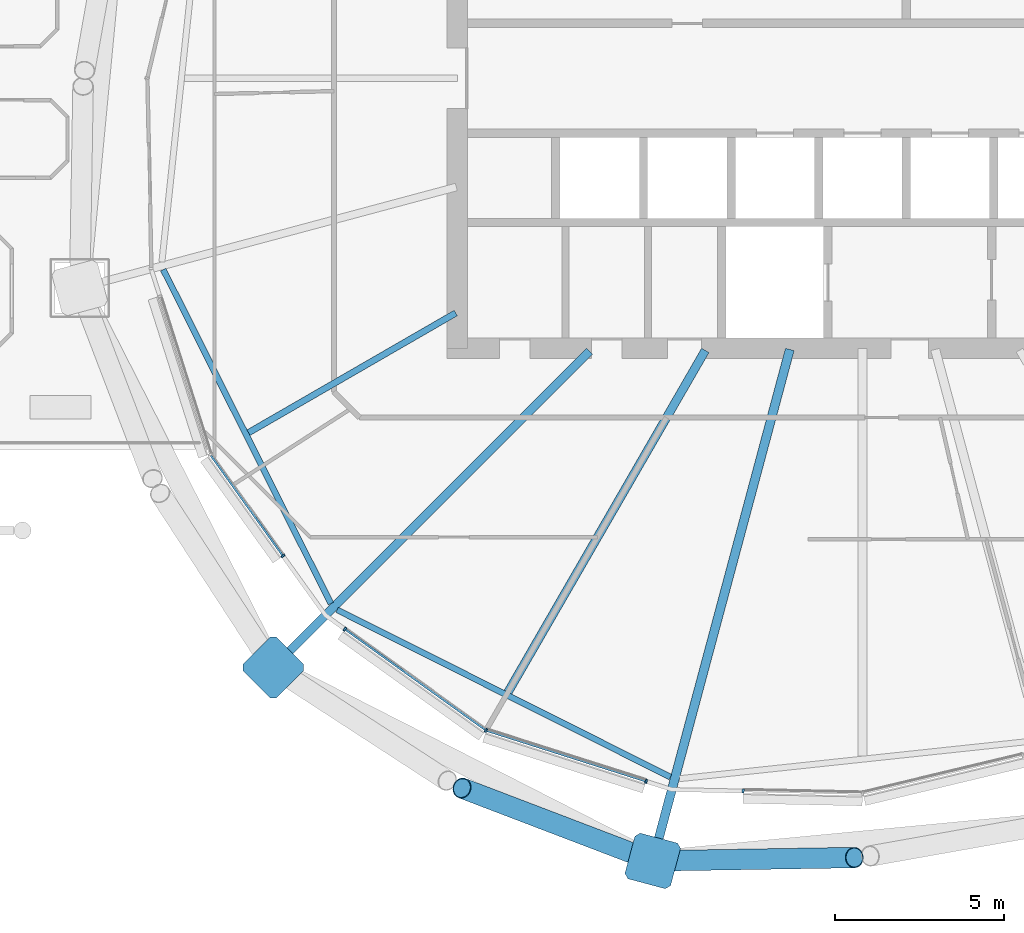
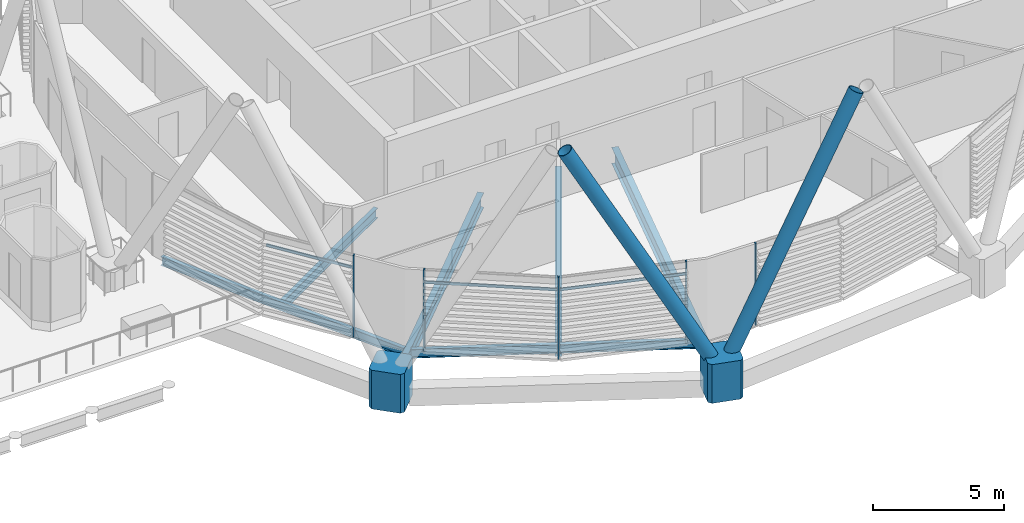
# One storey, part 14 of 38: 12 members, 6 beams, 1 element without a shape of its own.
"""IFC4 building model written with IfcOpenShell, lengths in metres."""

from ifc_helpers import new_model, si_unit, direction, frame, origin, origin_2d, place, context, subcontext, project, spatial, polyline, rectangle, hollow_circle, i_section, outline, extrude, material, material_profile, profile_set, type_object, element, aggregate, save


model = new_model("IFC4")

# Units and contexts
model_context = context("Model", 3, precision=1e-05, world=origin(), true_north=direction((0.0, 1.0)))
body_context = subcontext(model_context, "Body", "Model", "MODEL_VIEW")
ifc_project = project(units=[si_unit("LENGTHUNIT", "METRE"), si_unit("AREAUNIT", "SQUARE_METRE"), si_unit("VOLUMEUNIT", "CUBIC_METRE"), si_unit("PLANEANGLEUNIT", "RADIAN"), si_unit("MASSUNIT", "GRAM", prefix="KILO")], contexts=[model_context])

# Site, building, storey
site_placement = place(None, origin())
site = spatial("IfcSite", under=ifc_project, at=site_placement, CompositionType="ELEMENT")
building_placement = place(site_placement, origin())
building = spatial("IfcBuilding", under=site, at=building_placement, Name="Rimbun Link Towers", CompositionType="ELEMENT")
storey_placement = place(building_placement, frame((0.0, 0.0, 158.89990234375)))
storey = spatial("IfcBuildingStorey", under=building, at=storey_placement, Name="L38", CompositionType="ELEMENT", Elevation=158.89990234375)

# Curtain wall, members
ifc_material_1 = material(Name="Aluminium 6063-T6 and low-iron glass", Category="aluminium")
curtain_wall_type = type_object("IfcCurtainWallType", Name="CW1-Z3 unitised vision wall (zone 3)", PredefinedType="NOTDEFINED", material=ifc_material_1)
curtain_wall_placement = place(storey_placement, origin())
curtain_wall = element("IfcCurtainWall", 1, at=curtain_wall_placement, inside=storey, type_object=curtain_wall_type, Name="CW1 L38 T2", PredefinedType="NOTDEFINED")
ifc_material_2 = material(Name="Aluminium 6063-T6", Category="aluminium")
ifc_material_profile_1 = material_profile(ifc_material_2, rectangle(XDim=0.1201171875, YDim=0.06005859375, at=origin_2d()), Name="MULLION 60X120")
ifc_profile_set_1 = profile_set([ifc_material_profile_1], Name="Aluminium 6063-T6")
member_type_1 = type_object("IfcMemberType", Name="CW1 mullion 60X120", PredefinedType="MULLION", material=ifc_profile_set_1)
member_1_placement = place(storey_placement, frame((14.583251953125, -14.15283203125, 0.0), z_axis=(0.0, 0.0, 1.0), x_axis=(-0.812469429261, -0.583003796314, 0.0)))
member_1 = element("IfcMember", 2, at=member_1_placement, type_object=member_type_1, Name="CW1 mullion", PredefinedType="MULLION", context=body_context, shape_type="SweptSolid", body=[
    extrude(rectangle(XDim=0.1201171875, YDim=0.06005859375, at=origin_2d()), origin(), (0.0, 0.0, 1.0), 3.800048828125),
])
member_2_placement = place(storey_placement, frame((20.599365234375, -19.3203125, 0.0), z_axis=(0.0, 0.0, 1.0), x_axis=(-0.448577408247, -0.893743983929, 0.0)))
member_2 = element("IfcMember", 3, at=member_2_placement, type_object=member_type_1, Name="CW1 mullion", PredefinedType="MULLION", context=body_context, shape_type="SweptSolid", body=[
    extrude(rectangle(XDim=0.1201171875, YDim=0.06005859375, at=origin_2d()), origin(), (0.0, 0.0, 1.0), 3.800048828125),
])
member_3_placement = place(storey_placement, frame((16.419189453125, -16.321533203125, 0.0), z_axis=(0.0, 0.0, 1.0), x_axis=(-0.583003796314, -0.812469429261, 0.0)))
member_3 = element("IfcMember", 4, at=member_3_placement, type_object=member_type_1, Name="CW1 mullion", PredefinedType="MULLION", context=body_context, shape_type="SweptSolid", body=[
    extrude(rectangle(XDim=0.1201171875, YDim=0.06005859375, at=origin_2d()), origin(), (0.0, 0.0, 1.0), 3.800048828125),
])
member_4_placement = place(storey_placement, frame((25.3388671875, -20.828369140625, 0.0), z_axis=(0.0, 0.0, 1.0), x_axis=(-0.303081920912, -0.952964505749, 0.0)))
member_4 = element("IfcMember", 5, at=member_4_placement, type_object=member_type_1, Name="CW1 mullion", PredefinedType="MULLION", context=body_context, shape_type="SweptSolid", body=[
    extrude(rectangle(XDim=0.1201171875, YDim=0.06005859375, at=origin_2d()), origin(), (0.0, 0.0, 1.0), 3.800048828125),
])
member_5_placement = place(storey_placement, frame((28.2177734375, -21.117919921875, 0.0), z_axis=(0.0, 0.0, 1.0), x_axis=(-0.021058803518, -0.999778238808, 0.0)))
member_5 = element("IfcMember", 6, at=member_5_placement, type_object=member_type_1, Name="CW1 mullion", PredefinedType="MULLION", context=body_context, shape_type="SweptSolid", body=[
    extrude(rectangle(XDim=0.1201171875, YDim=0.06005859375, at=origin_2d()), origin(), (0.0, 0.0, 1.0), 3.800048828125),
])
ifc_material_3 = material(Name="Aluminium 6063-T6", Category="aluminium")
ifc_material_profile_2 = material_profile(ifc_material_3, rectangle(XDim=0.06005859375, YDim=0.1201171875, at=origin_2d()), Name="TRANSOM 60X120")
ifc_profile_set_2 = profile_set([ifc_material_profile_2], Name="Aluminium 6063-T6")
member_type_2 = type_object("IfcMemberType", Name="CW1 transom 60X120", PredefinedType="USERDEFINED", material=ifc_profile_set_2)
member_6_placement = place(storey_placement, frame((14.5673828125, -14.127197265625, 3.2001953125), z_axis=(-0.583014195168, 0.812461967253, 0.0), x_axis=(-0.812461967253, -0.583014195168, 0.0)))
member_6 = element("IfcMember", 7, at=member_6_placement, type_object=member_type_2, Name="CW1 transom", ObjectType="TRANSOM", PredefinedType="USERDEFINED", context=body_context, shape_type="SweptSolid", body=[
    extrude(rectangle(XDim=0.06005859375, YDim=0.1201171875, at=origin_2d()), origin(), (0.0, 0.0, 1.0), 3.625244140625),
])
member_7_placement = place(storey_placement, frame((20.568115234375, -19.296142578125, 3.2001953125), z_axis=(-0.812486735758, 0.582979677362, 0.0), x_axis=(-0.582979677362, -0.812486735758, 0.0)))
member_7 = element("IfcMember", 8, at=member_7_placement, type_object=member_type_2, Name="CW1 transom", ObjectType="TRANSOM", PredefinedType="USERDEFINED", context=body_context, shape_type="SweptSolid", body=[
    extrude(rectangle(XDim=0.06005859375, YDim=0.1201171875, at=origin_2d()), origin(), (0.0, 0.0, 1.0), 5.0751953125),
])
member_8_placement = place(storey_placement, frame((25.310791015625, -20.8173828125, 3.2001953125), z_axis=(-0.952963694266, 0.303084472401, 0.0), x_axis=(-0.303084472401, -0.952963694266, 0.0)))
member_8 = element("IfcMember", 9, at=member_8_placement, type_object=member_type_2, Name="CW1 transom", ObjectType="TRANSOM", PredefinedType="USERDEFINED", context=body_context, shape_type="SweptSolid", body=[
    extrude(rectangle(XDim=0.06005859375, YDim=0.1201171875, at=origin_2d()), origin(), (0.0, 0.0, 1.0), 4.904052734375),
])
aggregate(curtain_wall, [member_1, member_2, member_3, member_4, member_5, member_6, member_7, member_8])

# Members
ifc_material_4 = material(Name="Steel S355J2H", Category="steel")
ifc_material_profile_3 = material_profile(ifc_material_4, hollow_circle(Radius=0.3046875, WallThickness=0.02490234375, at=origin_2d()), Name="Diagrid diagonal CHS 610x25")
ifc_profile_set_3 = profile_set([ifc_material_profile_3], Name="Steel S355J2H")
member_type_3 = type_object("IfcMemberType", Name="Diagrid diagonal CHS 610x25", PredefinedType="BRACE", material=ifc_profile_set_3)
member_9_placement = place(storey_placement, frame((25.311279296875, -23.1005859375, 0.437744140625), z_axis=(-0.451430502708, 0.1723429569, 0.875504658144), x_axis=(-0.356662882606, -0.934233155145, 0.0)))
element("IfcMember", 10, at=member_9_placement, inside=storey, type_object=member_type_3, Name="Diagrid diagonal T2 L38-L41 14a", PredefinedType="BRACE", context=body_context, shape_type="SweptSolid", body=[
    extrude(hollow_circle(Radius=0.3046875, WallThickness=0.02490234375, at=origin_2d()), origin(), (0.0, 0.0, 1.0), 12.021240234375),
])
member_10_placement = place(storey_placement, frame((25.7763671875, -23.182861328125, 0.439208984375), z_axis=(0.478522798331, 0.007986245612, 0.878038809711), x_axis=(-0.016687049494, 0.999860761496, 0.0)))
element("IfcMember", 11, at=member_10_placement, inside=storey, type_object=member_type_3, Name="Diagrid diagonal T2 L38-L41 14b", PredefinedType="BRACE", context=body_context, shape_type="SweptSolid", body=[
    extrude(hollow_circle(Radius=0.3046875, WallThickness=0.02490234375, at=origin_2d()), origin(), (0.0, 0.0, 1.0), 11.9833984375),
])
ifc_material_5 = material(Name="Cast steel G20Mn5+QT, Rp0.2 300 MPa", Category="steel")
ifc_material_profile_4 = material_profile(ifc_material_5, outline(polyline([(0.699951171875, -0.570068359375), (0.699951171875, 0.570068359375), (0.570068359375, 0.699951171875), (-0.570068359375, 0.699951171875), (-0.699951171875, 0.570068359375), (-0.699951171875, -0.570068359375), (-0.570068359375, -0.699951171875), (0.570068359375, -0.699951171875), (0.699951171875, -0.570068359375)])), Name="NODE 1400x1400")
ifc_profile_set_4 = profile_set([ifc_material_profile_4], Name="Cast steel G20Mn5+QT, Rp0.2 300 MPa")
member_type_4 = type_object("IfcMemberType", Name="Diagrid node cast 1400", PredefinedType="USERDEFINED", material=ifc_profile_set_4)
for number, where, z_axis, x_axis, name in (
    (12, (14.29443359375, -17.45556640625, -0.89990234375), (0.0, 0.0, 1.0), (-0.707106781187, -0.707106781187, 0.0), "Diagrid node L38 12"),
    (13, (25.537109375, -23.18701171875, -0.89990234375), (0.0, 0.0, 1.0), (-0.258819045103, -0.965925826289, 0.0), "Diagrid node L38 14"),
):
    element("IfcMember", number, at=place(storey_placement, frame(where, z_axis=z_axis, x_axis=x_axis)), inside=storey, type_object=member_type_4, Name=name, ObjectType="Diagrid node", PredefinedType="USERDEFINED", context=body_context, shape_type="SweptSolid", body=[
        extrude(outline(polyline([(0.699951171875, -0.570068359375), (0.699951171875, 0.570068359375), (0.570068359375, 0.699951171875), (-0.570068359375, 0.699951171875), (-0.699951171875, 0.570068359375), (-0.699951171875, -0.570068359375), (-0.570068359375, -0.699951171875), (0.570068359375, -0.699951171875), (0.699951171875, -0.570068359375)])), origin(), (0.0, 0.0, 1.0), 1.800048828125),
    ])

# Beams
ifc_material_6 = material(Name="Steel S355J2", Category="steel")
ifc_material_profile_5 = material_profile(ifc_material_6, i_section(OverallWidth=0.177978515625, OverallDepth=0.406494140625, WebThickness=0.0078125, FlangeThickness=0.0126953125, at=origin_2d()), Name="UB 406x178x60")
ifc_profile_set_5 = profile_set([ifc_material_profile_5], Name="Steel S355J2")
beam_type_1 = type_object("IfcBeamType", Name="UB 406x178x60", PredefinedType="BEAM", material=ifc_profile_set_5)
beam_1_placement = place(storey_placement, frame((11.03759765625, -5.668701171875, -0.35302734375), z_axis=(0.448536026328, -0.893764752654, 0.0), x_axis=(0.893764752654, 0.448536026328, 0.0)))
element("IfcBeam", 14, at=beam_1_placement, inside=storey, type_object=beam_type_1, Name="Edge beam T2 L38 10-12", PredefinedType="BEAM", context=body_context, shape_type="SweptSolid", body=[
    extrude(i_section(OverallWidth=0.177978515625, OverallDepth=0.406494140625, WebThickness=0.0078125, FlangeThickness=0.0126953125, at=origin_2d()), origin(), (0.0, 0.0, 1.0), 11.07275390625),
])
beam_2_placement = place(storey_placement, frame((16.184814453125, -15.745849609375, -0.35302734375), z_axis=(0.893767984119, -0.448529587167, 0.0), x_axis=(0.448529587167, 0.893767984119, 0.0)))
element("IfcBeam", 15, at=beam_2_placement, inside=storey, type_object=beam_type_1, Name="Edge beam T2 L38 12-14", PredefinedType="BEAM", context=body_context, shape_type="SweptSolid", body=[
    extrude(i_section(OverallWidth=0.177978515625, OverallDepth=0.406494140625, WebThickness=0.0078125, FlangeThickness=0.0126953125, at=origin_2d()), origin(), (0.0, 0.0, 1.0), 11.052734375),
])
ifc_material_7 = material(Name="Steel S355J2", Category="steel")
ifc_material_profile_6 = material_profile(ifc_material_7, i_section(OverallWidth=0.18994140625, OverallDepth=0.453369140625, WebThickness=0.008544921875, FlangeThickness=0.0126953125, at=origin_2d()), Name="UB 457x191x67")
ifc_profile_set_6 = profile_set([ifc_material_profile_6], Name="Steel S355J2")
beam_type_2 = type_object("IfcBeamType", Name="UB 457x191x67", PredefinedType="BEAM", material=ifc_profile_set_6)
beam_3_placement = place(storey_placement, frame((19.70166015625, -6.9560546875, -0.376708984375), z_axis=(-0.866023840316, -0.500002707997, 0.0), x_axis=(0.500002707997, -0.866023840316, 0.0)))
element("IfcBeam", 16, at=beam_3_placement, inside=storey, type_object=beam_type_2, Name="Radial beam T2 L38 11", PredefinedType="BEAM", context=body_context, shape_type="SweptSolid", body=[
    extrude(i_section(OverallWidth=0.18994140625, OverallDepth=0.453369140625, WebThickness=0.008544921875, FlangeThickness=0.0126953125, at=origin_2d()), origin(), (0.0, 0.0, 1.0), 7.08837890625),
])
ifc_material_8 = material(Name="Steel S355J2", Category="steel")
ifc_material_profile_7 = material_profile(ifc_material_8, i_section(OverallWidth=0.253662109375, OverallDepth=0.68359375, WebThickness=0.012451171875, FlangeThickness=0.01904296875, at=origin_2d()), Name="UB 686x254x140")
ifc_profile_set_7 = profile_set([ifc_material_profile_7], Name="Steel S355J2")
beam_type_3 = type_object("IfcBeamType", Name="UB 686x254x140", PredefinedType="BEAM", material=ifc_profile_set_7)
beam_4_placement = place(storey_placement, frame((23.65966796875, -8.09033203125, -0.49169921875), z_axis=(-0.707106781187, -0.707106781187, 0.0), x_axis=(0.707106781187, -0.707106781187, 0.0)))
element("IfcBeam", 17, at=beam_4_placement, inside=storey, type_object=beam_type_3, Name="Radial beam T2 L38 12", PredefinedType="BEAM", context=body_context, shape_type="SweptSolid", body=[
    extrude(i_section(OverallWidth=0.253662109375, OverallDepth=0.68359375, WebThickness=0.012451171875, FlangeThickness=0.01904296875, at=origin_2d()), origin(), (0.0, 0.0, 1.0), 12.744384765625),
])
beam_5_placement = place(storey_placement, frame((27.093994140625, -8.064208984375, -0.49169921875), z_axis=(-0.499989438348, -0.866031501471, 0.0), x_axis=(0.866031501471, -0.499989438348, 0.0)))
element("IfcBeam", 18, at=beam_5_placement, inside=storey, type_object=beam_type_3, Name="Radial beam T2 L38 13", PredefinedType="BEAM", context=body_context, shape_type="SweptSolid", body=[
    extrude(i_section(OverallWidth=0.253662109375, OverallDepth=0.68359375, WebThickness=0.012451171875, FlangeThickness=0.01904296875, at=origin_2d()), origin(), (0.0, 0.0, 1.0), 11.688720703125),
])
ifc_material_9 = material(Name="Steel S355J2", Category="steel")
ifc_material_profile_8 = material_profile(ifc_material_9, i_section(OverallWidth=0.2666015625, OverallDepth=0.76220703125, WebThickness=0.014404296875, FlangeThickness=0.021484375, at=origin_2d()), Name="UB 762x267x173")
ifc_profile_set_8 = profile_set([ifc_material_profile_8], Name="Steel S355J2")
beam_type_4 = type_object("IfcBeamType", Name="UB 762x267x173", PredefinedType="BEAM", material=ifc_profile_set_8)
beam_6_placement = place(storey_placement, frame((29.596923828125, -8.035400390625, -0.531005859375), z_axis=(-0.258820194396, -0.965925518336, 0.0), x_axis=(0.965925518336, -0.258820194396, 0.0)))
element("IfcBeam", 19, at=beam_6_placement, inside=storey, type_object=beam_type_4, Name="Radial beam T2 L38 14", PredefinedType="BEAM", context=body_context, shape_type="SweptSolid", body=[
    extrude(i_section(OverallWidth=0.2666015625, OverallDepth=0.76220703125, WebThickness=0.014404296875, FlangeThickness=0.021484375, at=origin_2d()), origin(), (0.0, 0.0, 1.0), 15.185791015625),
])

save(model, "model.ifc")
